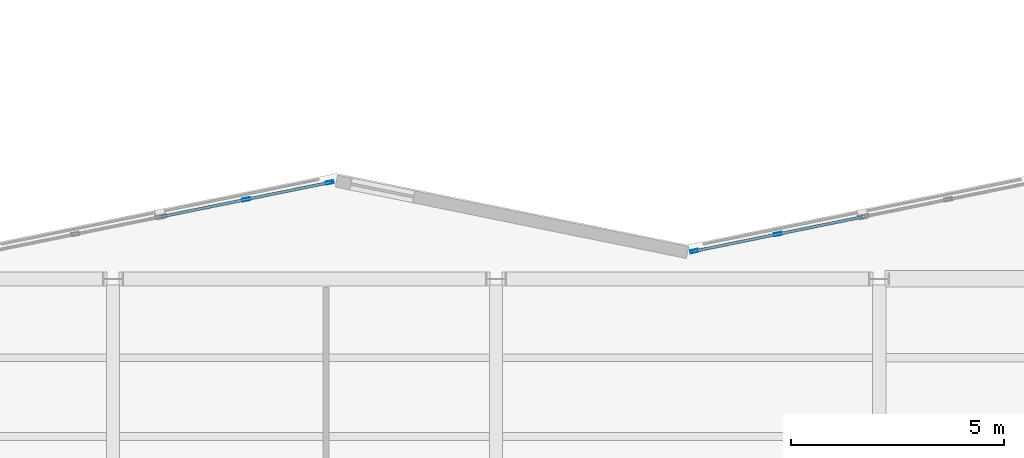
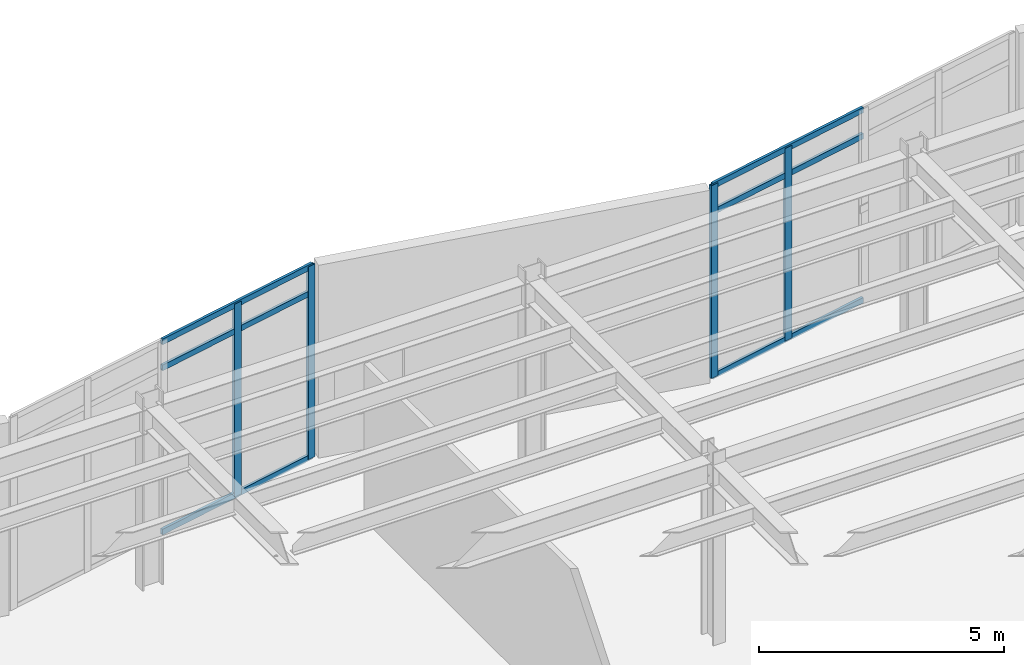
# One storey, part 46 of 91: 10 members, 2 elements without a shape of their own.
"""IFC4 building model written with IfcOpenShell, lengths in metres."""

from ifc_helpers import new_model, si_unit, direction, frame, origin, origin_2d, place, context, subcontext, project, spatial, hollow_rectangle, extrude, material, layer, layer_set, material_profile, profile_set, type_object, element, aggregate, save


model = new_model("IFC4")

# Units and contexts
model_context = context("Model", 3, precision=1e-05, world=origin(), true_north=direction((0.0, 1.0)))
body_context = subcontext(model_context, "Body", "Model", "MODEL_VIEW")
ifc_project = project(units=[si_unit("LENGTHUNIT", "METRE"), si_unit("AREAUNIT", "SQUARE_METRE"), si_unit("VOLUMEUNIT", "CUBIC_METRE"), si_unit("PLANEANGLEUNIT", "RADIAN"), si_unit("MASSUNIT", "GRAM", prefix="KILO")], contexts=[model_context])

# Site, building, storey
site_placement = place(None, origin())
site = spatial("IfcSite", under=ifc_project, at=site_placement, CompositionType="ELEMENT")
building_placement = place(site_placement, origin())
building = spatial("IfcBuilding", under=site, at=building_placement, Name="Sollismere Congress Hotel", CompositionType="ELEMENT")
storey_placement = place(building_placement, frame((0.0, 0.0, 10.800048828125)))
storey = spatial("IfcBuildingStorey", under=building, at=storey_placement, Name="L02", CompositionType="ELEMENT", Elevation=10.800048828125)

# Curtain wall, members
ifc_material_1 = material(Name="Anodized Bronze Curtain Wall & Low-E Triple Glazing", Category="glass")
ifc_layer = layer(ifc_material_1, 0.199951171875, Name="Anodized Bronze Curtain Wall & Low-E Triple Glazing")
ifc_layer_set = layer_set([ifc_layer], Name="Anodized Bronze Curtain Wall & Low-E Triple Glazing")
curtain_wall_type = type_object("IfcCurtainWallType", Name="CW-GLZ36", PredefinedType="USERDEFINED", material=ifc_layer_set)
curtain_wall_1_placement = place(storey_placement, origin())
curtain_wall_1 = element("IfcCurtainWall", 1, at=curtain_wall_1_placement, inside=storey, type_object=curtain_wall_type, Name="Unitised curtain wall CW-L02-102", ObjectType="UNITISED CURTAIN WALL", PredefinedType="USERDEFINED")
ifc_material_2 = material(Name="Anodized Aluminum 6063-T6", Category="aluminium")
ifc_material_profile_1 = material_profile(ifc_material_2, hollow_rectangle(XDim=0.074951171875, YDim=0.179931640625, WallThickness=0.0048828125, at=origin_2d()), Name="ALU180X75X5")
ifc_profile_set_1 = profile_set([ifc_material_profile_1], Name="Anodized Aluminum 6063-T6")
member_type_1 = type_object("IfcMemberType", Name="ML-CW180", PredefinedType="MULLION", material=ifc_profile_set_1)
member_1_placement = place(storey_placement, frame((97.128662109375, 104.266845703125, 0.0), z_axis=(0.0, 0.0, 1.0), x_axis=(-0.199367934417, 0.979924704621, 0.0)))
member_1 = element("IfcMember", 2, at=member_1_placement, type_object=member_type_1, Name="CWL-CW-L02-102-ML02", PredefinedType="MULLION", context=body_context, shape_type="SweptSolid", body=[
    extrude(hollow_rectangle(XDim=0.074951171875, YDim=0.179931640625, WallThickness=0.0048828125, at=origin_2d()), origin(), (0.0, 0.0, 1.0), 4.800048828125),
])
member_2_placement = place(storey_placement, frame((99.09521484375, 104.6669921875, 0.0), z_axis=(0.0, 0.0, 1.0), x_axis=(-0.199367934417, 0.979924704621, 0.0)))
member_2 = element("IfcMember", 3, at=member_2_placement, type_object=member_type_1, Name="CWL-CW-L02-102-ML03", PredefinedType="MULLION", context=body_context, shape_type="SweptSolid", body=[
    extrude(hollow_rectangle(XDim=0.074951171875, YDim=0.179931640625, WallThickness=0.0048828125, at=origin_2d()), origin(), (0.0, 0.0, 1.0), 4.800048828125),
])

curtain_wall_2_placement = place(storey_placement, origin())
curtain_wall_2 = element("IfcCurtainWall", 4, at=curtain_wall_2_placement, inside=storey, type_object=curtain_wall_type, Name="Unitised curtain wall CW-L02-103", ObjectType="UNITISED CURTAIN WALL", PredefinedType="USERDEFINED")
member_3_placement = place(storey_placement, frame((107.65478515625, 103.051513671875, 0.0), z_axis=(0.0, 0.0, 1.0), x_axis=(-0.199367934417, 0.979924704621, 0.0)))
member_3 = element("IfcMember", 5, at=member_3_placement, type_object=member_type_1, Name="CWL-CW-L02-103-ML01", PredefinedType="MULLION", context=body_context, shape_type="SweptSolid", body=[
    extrude(hollow_rectangle(XDim=0.074951171875, YDim=0.179931640625, WallThickness=0.0048828125, at=origin_2d()), origin(), (0.0, 0.0, 1.0), 4.800048828125),
])
member_4_placement = place(storey_placement, frame((109.621337890625, 103.45166015625, 0.0), z_axis=(0.0, 0.0, 1.0), x_axis=(-0.199367934417, 0.979924704621, 0.0)))
member_4 = element("IfcMember", 6, at=member_4_placement, type_object=member_type_1, Name="CWL-CW-L02-103-ML02", PredefinedType="MULLION", context=body_context, shape_type="SweptSolid", body=[
    extrude(hollow_rectangle(XDim=0.074951171875, YDim=0.179931640625, WallThickness=0.0048828125, at=origin_2d()), origin(), (0.0, 0.0, 1.0), 4.800048828125),
])

# Member
ifc_material_profile_2 = material_profile(ifc_material_2, hollow_rectangle(XDim=0.06494140625, YDim=0.139892578125, WallThickness=0.00390625, at=origin_2d()), Name="ALU140X65X4")
ifc_profile_set_2 = profile_set([ifc_material_profile_2], Name="Anodized Aluminum 6063-T6")
member_type_2 = type_object("IfcMemberType", Name="TR-CW150", PredefinedType="MEMBER", material=ifc_profile_set_2)
member_5_placement = place(storey_placement, frame((95.125, 103.859375, 0.032470703125), z_axis=(0.979930139944, 0.199341217087, 0.0), x_axis=(-0.199341217087, 0.979930139944, 0.0)))
member_5 = element("IfcMember", 7, at=member_5_placement, type_object=member_type_2, Name="CWL-CW-L02-102-TR1", PredefinedType="MEMBER", context=body_context, shape_type="SweptSolid", body=[
    extrude(hollow_rectangle(XDim=0.06494140625, YDim=0.139892578125, WallThickness=0.00390625, at=origin_2d()), origin(), (0.0, 0.0, 1.0), 4.08935546875),
])

member_6_placement = place(storey_placement, frame((95.125, 103.859375, 4.119873046875), z_axis=(0.979930139944, 0.199341217087, 0.0), x_axis=(-0.199341217087, 0.979930139944, 0.0)))
member_6 = element("IfcMember", 8, at=member_6_placement, type_object=member_type_2, Name="CWL-CW-L02-102-TR2", PredefinedType="MEMBER", context=body_context, shape_type="SweptSolid", body=[
    extrude(hollow_rectangle(XDim=0.06494140625, YDim=0.139892578125, WallThickness=0.00390625, at=origin_2d()), origin(), (0.0, 0.0, 1.0), 4.08935546875),
])

member_7_placement = place(storey_placement, frame((95.125, 103.859375, 4.767333984375), z_axis=(0.979930139944, 0.199341217087, 0.0), x_axis=(-0.199341217087, 0.979930139944, 0.0)))
member_7 = element("IfcMember", 9, at=member_7_placement, type_object=member_type_2, Name="CWL-CW-L02-102-TR3", PredefinedType="MEMBER", context=body_context, shape_type="SweptSolid", body=[
    extrude(hollow_rectangle(XDim=0.06494140625, YDim=0.139892578125, WallThickness=0.00390625, at=origin_2d()), origin(), (0.0, 0.0, 1.0), 4.08935546875),
])

aggregate(curtain_wall_1, [member_1, member_2, member_5, member_6, member_7])

member_8_placement = place(storey_placement, frame((107.61767578125, 103.0439453125, 0.032470703125), z_axis=(0.979918476409, 0.199398544609, 0.0), x_axis=(-0.199398544609, 0.979918476409, 0.0)))
member_8 = element("IfcMember", 10, at=member_8_placement, type_object=member_type_2, Name="CWL-CW-L02-103-TR1", PredefinedType="MEMBER", context=body_context, shape_type="SweptSolid", body=[
    extrude(hollow_rectangle(XDim=0.06494140625, YDim=0.139892578125, WallThickness=0.00390625, at=origin_2d()), origin(), (0.0, 0.0, 1.0), 4.08935546875),
])

member_9_placement = place(storey_placement, frame((107.61767578125, 103.0439453125, 4.119873046875), z_axis=(0.979918476409, 0.199398544609, 0.0), x_axis=(-0.199398544609, 0.979918476409, 0.0)))
member_9 = element("IfcMember", 11, at=member_9_placement, type_object=member_type_2, Name="CWL-CW-L02-103-TR2", PredefinedType="MEMBER", context=body_context, shape_type="SweptSolid", body=[
    extrude(hollow_rectangle(XDim=0.06494140625, YDim=0.139892578125, WallThickness=0.00390625, at=origin_2d()), origin(), (0.0, 0.0, 1.0), 4.08935546875),
])

member_10_placement = place(storey_placement, frame((107.61767578125, 103.0439453125, 4.767333984375), z_axis=(0.979918476409, 0.199398544609, 0.0), x_axis=(-0.199398544609, 0.979918476409, 0.0)))
member_10 = element("IfcMember", 12, at=member_10_placement, type_object=member_type_2, Name="CWL-CW-L02-103-TR3", PredefinedType="MEMBER", context=body_context, shape_type="SweptSolid", body=[
    extrude(hollow_rectangle(XDim=0.06494140625, YDim=0.139892578125, WallThickness=0.00390625, at=origin_2d()), origin(), (0.0, 0.0, 1.0), 4.08935546875),
])

aggregate(curtain_wall_2, [member_3, member_4, member_8, member_9, member_10])

save(model, "model.ifc")
